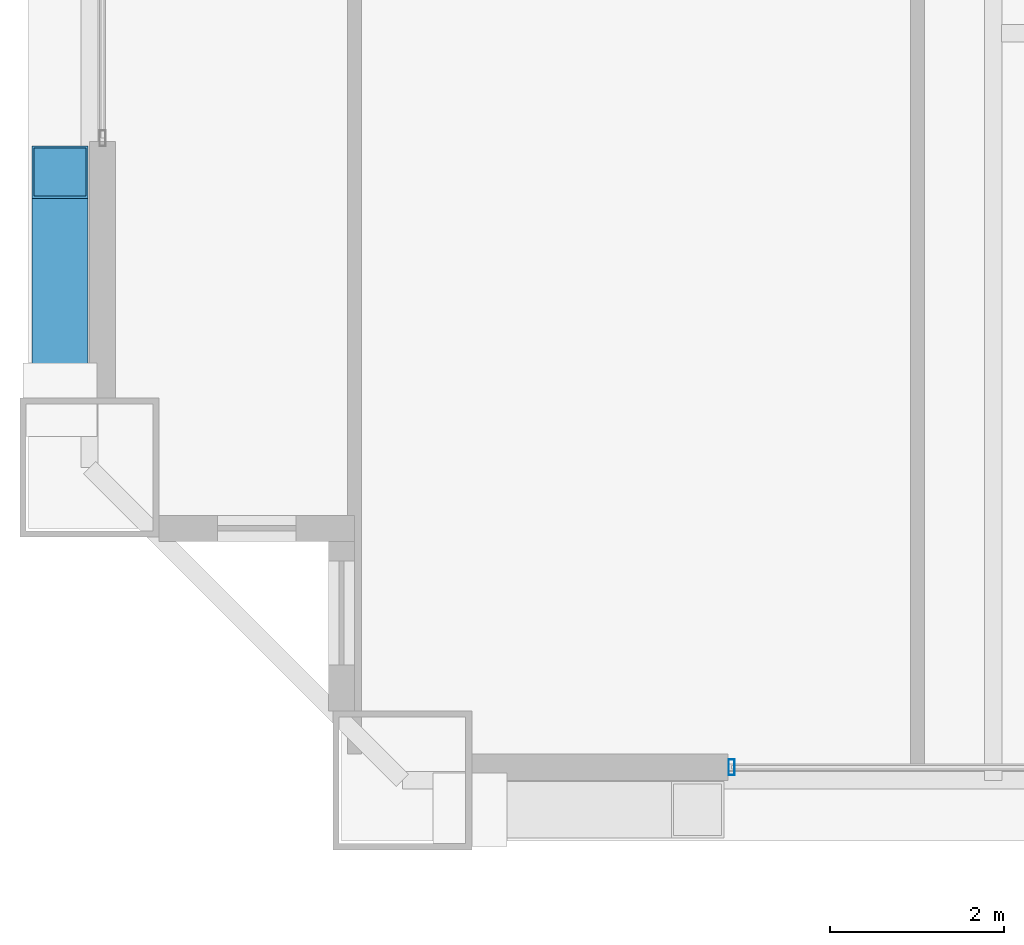
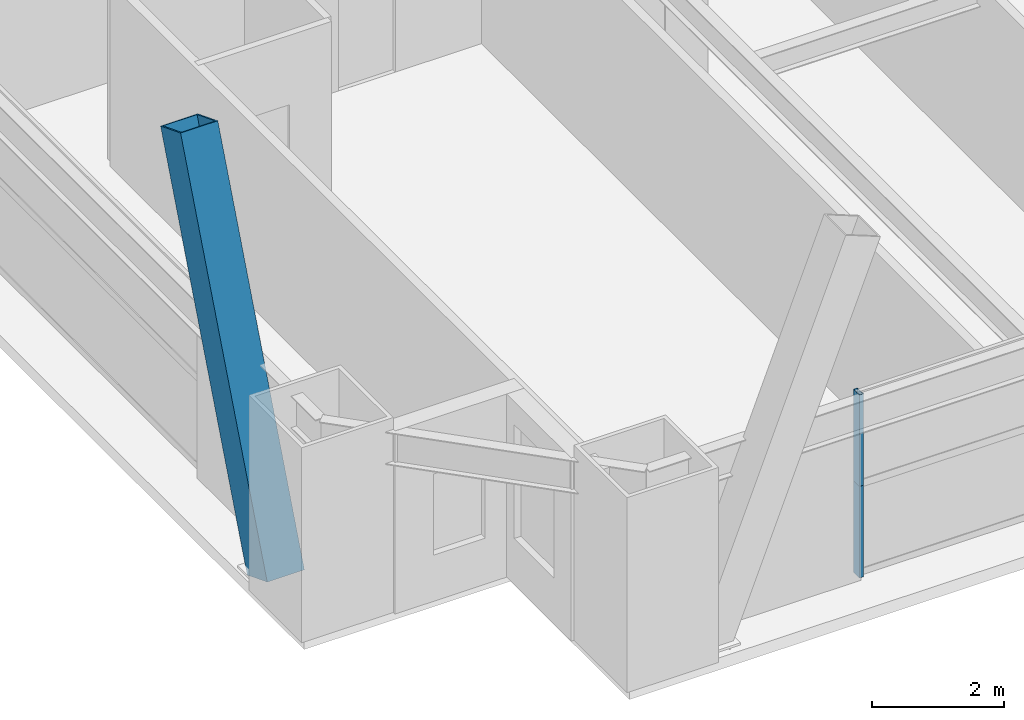
# One storey, part 4 of 43: 3 members, 1 element without a shape of its own.
"""IFC4 building model written with IfcOpenShell, lengths in metres."""

from ifc_helpers import new_model, si_unit, direction, frame, origin, origin_2d, place, context, subcontext, project, spatial, hollow_rectangle, extrude, source, transform, mapped, material, layer, layer_set, material_profile, profile_set, type_object, element, aggregate, save


model = new_model("IFC4")

# Units and contexts
model_context = context("Model", 3, precision=1e-05, world=origin(), true_north=direction((0.0, 1.0)))
body_context = subcontext(model_context, "Body", "Model", "MODEL_VIEW")
ifc_project = project(units=[si_unit("LENGTHUNIT", "METRE"), si_unit("AREAUNIT", "SQUARE_METRE"), si_unit("VOLUMEUNIT", "CUBIC_METRE"), si_unit("PLANEANGLEUNIT", "RADIAN"), si_unit("MASSUNIT", "GRAM", prefix="KILO"), si_unit("THERMODYNAMICTEMPERATUREUNIT", "KELVIN"), si_unit("POWERUNIT", "WATT")], contexts=[model_context])

# Site, building, storey
site_placement = place(None, origin())
site = spatial("IfcSite", under=ifc_project, at=site_placement, CompositionType="ELEMENT")
building_placement = place(site_placement, origin())
building = spatial("IfcBuilding", under=site, at=building_placement, Name="Yuzanri Waterfront Tower", CompositionType="ELEMENT")
storey_placement = place(building_placement, frame((0.0, 0.0, 159.60009765625)))
storey = spatial("IfcBuildingStorey", under=building, at=storey_placement, Name="L42", CompositionType="ELEMENT", Elevation=159.60009765625)

# Member
ifc_material_1 = material(Name="Steel Q420GJC", Category="steel")
ifc_material_profile_1 = material_profile(ifc_material_1, hollow_rectangle(XDim=0.64990234375, YDim=0.64990234375, WallThickness=0.028076171875, at=origin_2d()), Name="RHS 650x650x28")
ifc_profile_set_1 = profile_set([ifc_material_profile_1], Name="Steel Q420GJC")
member_type_1 = type_object("IfcMemberType", Name="Mega Brace Lower Q420GJC RHS 650x650x28", PredefinedType="BRACE", material=ifc_profile_set_1)
shared_shape_1 = source(origin(), body_context, "Body", "SweptSolid", [
    extrude(hollow_rectangle(XDim=0.64990234375, YDim=0.64990234375, WallThickness=0.028076171875, at=origin_2d()), origin(), (0.0, 0.0, 1.0), 7.19384765625),
])
member_1_placement = place(storey_placement, frame((13.06005859375, 6.580078125, 0.179931640625), z_axis=(0.0, 0.36417668996, 0.9313298763), x_axis=(-1.0, 0.0, 0.0)))
element("IfcMember", 1, at=member_1_placement, inside=storey, type_object=member_type_1, Name="L42-L43 Perimeter Mega-Brace W-L", PredefinedType="BRACE", context=body_context, shape_type="MappedRepresentation", body=[
    mapped(shared_shape_1, transform((0.0, 0.0, 0.0), scale=1.0)),
])

# Curtain wall, members
ifc_material_2 = material(Name="Anodized Architectural Bronze", Category="metal")
ifc_layer = layer(ifc_material_2, 0.159912109375)
ifc_layer_set = layer_set([ifc_layer], Name="Anodized Architectural Bronze")
curtain_wall_type = type_object("IfcCurtainWallType", Name="Anodized Bronze Hotel Upper-Tier Solar-Control Unitized Curtain Wall 7800", PredefinedType="NOTDEFINED", material=ifc_layer_set)
curtain_wall_placement = place(storey_placement, origin())
curtain_wall = element("IfcCurtainWall", 2, at=curtain_wall_placement, inside=storey, type_object=curtain_wall_type, Name="L42 Curtain Wall CW-L42-SL1", PredefinedType="NOTDEFINED")
ifc_material_3 = material(Name="Anodized Architectural Bronze", Category="metal")
ifc_material_profile_2 = material_profile(ifc_material_3, hollow_rectangle(XDim=0.070068359375, YDim=0.179931640625, WallThickness=0.00390625, at=origin_2d()), Name="CWM 70x180")
ifc_profile_set_2 = profile_set([ifc_material_profile_2], Name="Anodized Architectural Bronze")
member_type_2 = type_object("IfcMemberType", Name="Anodized Bronze Standard Curtain-Wall Mullion 70x180", PredefinedType="MULLION", material=ifc_profile_set_2)
shared_shape_2 = source(origin(), body_context, "Body", "SweptSolid", [
    extrude(hollow_rectangle(XDim=0.070068359375, YDim=0.179931640625, WallThickness=0.00390625, at=origin_2d()), origin(), (0.0, 0.0, 1.0), 1.68798828125),
])
member_2_placement = place(storey_placement, frame((20.7900390625, 2.35009765625, 0.0), z_axis=(0.0, 0.0, 1.0), x_axis=(1.0, 0.0, 0.0)))
member_2 = element("IfcMember", 3, at=member_2_placement, type_object=member_type_2, Name="CW-L42-SL1 Lower Mullion 00", PredefinedType="MULLION", context=body_context, shape_type="MappedRepresentation", body=[
    mapped(shared_shape_2, transform((0.0, 0.0, 0.0), scale=1.0)),
])
member_3_placement = place(storey_placement, frame((20.7900390625, 2.35009765625, 1.69189453125), z_axis=(0.0, 0.0, 1.0), x_axis=(1.0, 0.0, 0.0)))
member_3 = element("IfcMember", 4, at=member_3_placement, type_object=member_type_2, Name="CW-L42-SL1 Upper Mullion 00", PredefinedType="MULLION", context=body_context, shape_type="MappedRepresentation", body=[
    mapped(shared_shape_2, transform((0.0, 0.0, 0.0), scale=1.0)),
])
aggregate(curtain_wall, [member_2, member_3])

save(model, "model.ifc")
